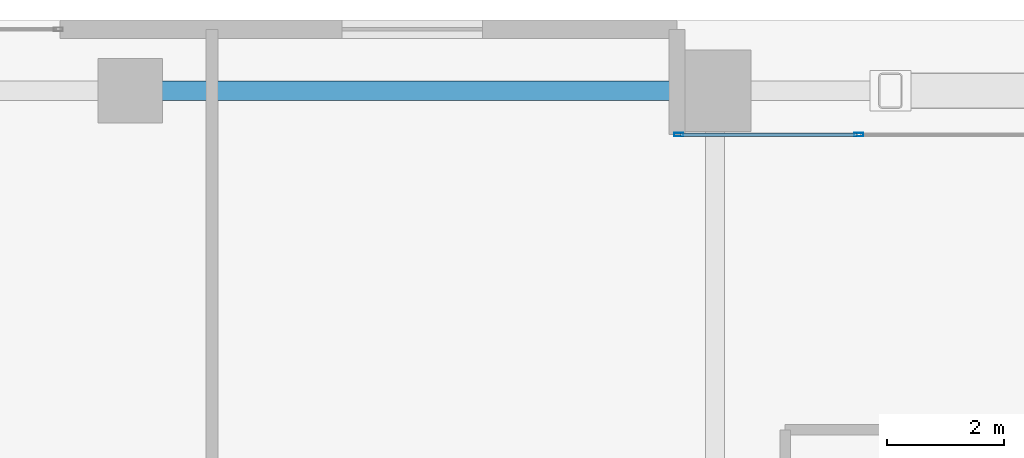
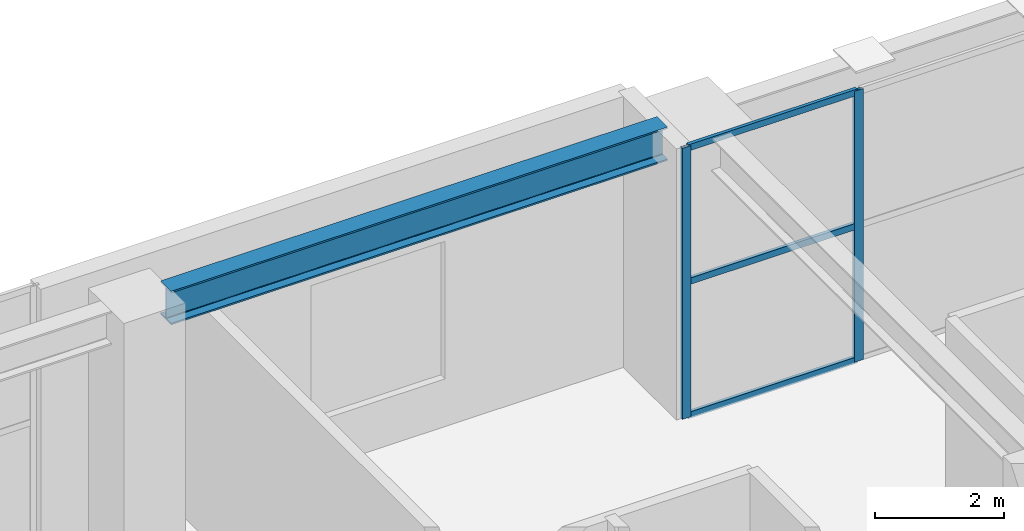
# One storey, part 13 of 28: 5 members, 1 beam, 1 element without a shape of its own.
"""IFC4 building model written with IfcOpenShell, lengths in metres."""

from ifc_helpers import new_model, si_unit, direction, frame, origin, origin_2d, place, context, subcontext, project, spatial, hollow_rectangle, i_section, extrude, material, layer, layer_set, material_profile, profile_set, type_object, element, aggregate, save


model = new_model("IFC4")

# Units and contexts
model_context = context("Model", 3, precision=1e-05, world=origin(), true_north=direction((0.0, 1.0)))
body_context = subcontext(model_context, "Body", "Model", "MODEL_VIEW")
ifc_project = project(units=[si_unit("LENGTHUNIT", "METRE"), si_unit("AREAUNIT", "SQUARE_METRE"), si_unit("VOLUMEUNIT", "CUBIC_METRE"), si_unit("PLANEANGLEUNIT", "RADIAN"), si_unit("MASSUNIT", "GRAM", prefix="KILO")], contexts=[model_context])

# Site, building, storey
site_placement = place(None, origin())
site = spatial("IfcSite", under=ifc_project, at=site_placement, CompositionType="ELEMENT")
building_placement = place(site_placement, origin())
building = spatial("IfcBuilding", under=site, at=building_placement, Name="Sarneth Arch Tower", CompositionType="ELEMENT")
storey_placement = place(building_placement, frame((0.0, 0.0, 6.0)))
storey = spatial("IfcBuildingStorey", under=building, at=storey_placement, Name="L01", CompositionType="ELEMENT", Elevation=6.0)

# Beam
ifc_material_1 = material(Name="Steel S355", Category="steel")
ifc_material_profile_1 = material_profile(ifc_material_1, i_section(OverallWidth=0.3291015625, OverallDepth=0.635009765625, WebThickness=0.017822265625, FlangeThickness=0.031005859375, FilletRadius=0.01904296875, at=origin_2d()), Name="W610x241")
ifc_profile_set_1 = profile_set([ifc_material_profile_1], Name="Steel S355")
beam_type = type_object("IfcBeamType", Name="BM-POD-610", PredefinedType="BEAM", material=ifc_profile_set_1)
beam_placement = place(storey_placement, frame((20.52001953125, 74.800048828125, 4.802490234375), z_axis=(1.0, 0.0, 0.0), x_axis=(0.0, 1.0, 0.0)))
element("IfcBeam", 1, at=beam_placement, inside=storey, type_object=beam_type, Name="L01 Podium PN girder 2", PredefinedType="BEAM", context=body_context, shape_type="SweptSolid", body=[
    extrude(i_section(OverallWidth=0.3291015625, OverallDepth=0.635009765625, WebThickness=0.017822265625, FlangeThickness=0.031005859375, FilletRadius=0.01904296875, at=origin_2d()), origin(), (0.0, 0.0, 1.0), 8.87548828125),
])

# Curtain wall, members
ifc_material_2 = material(Name="Anodised aluminium Type AA25 and solar-control low-e laminated IGU", Category="aluminium")
ifc_layer = layer(ifc_material_2, 0.199951171875)
ifc_layer_set = layer_set([ifc_layer], Name="Anodised aluminium Type AA25 and solar-control low-e laminated IGU")
curtain_wall_type = type_object("IfcCurtainWallType", Name="CW-ARCH-GLAZE", PredefinedType="NOTDEFINED", material=ifc_layer_set)
curtain_wall_placement = place(storey_placement, origin())
curtain_wall = element("IfcCurtainWall", 2, at=curtain_wall_placement, inside=storey, type_object=curtain_wall_type, Name="L01 North parabolic arch portal curtain wall", PredefinedType="NOTDEFINED")
ifc_material_3 = material(Name="Anodised Aluminium 6063-T6", Category="aluminium")
ifc_material_profile_2 = material_profile(ifc_material_3, hollow_rectangle(XDim=0.06005859375, YDim=0.159912109375, WallThickness=0.00390625, at=origin_2d()), Name="AL-MULL-160x60x4")
ifc_profile_set_2 = profile_set([ifc_material_profile_2], Name="Anodised Aluminium 6063-T6")
member_type_1 = type_object("IfcMemberType", Name="CW-MULLION", PredefinedType="MULLION", material=ifc_profile_set_2)
member_1_placement = place(storey_placement, frame((32.458251953125, 74.050048828125, 0.0), z_axis=(0.0, 0.0, 1.0), x_axis=(0.0, -1.0, 0.0)))
member_1 = element("IfcMember", 3, at=member_1_placement, type_object=member_type_1, Name="CW-SYS-2 mullion 12", PredefinedType="MULLION", context=body_context, shape_type="SweptSolid", body=[
    extrude(hollow_rectangle(XDim=0.06005859375, YDim=0.159912109375, WallThickness=0.00390625, at=origin_2d()), origin(), (0.0, 0.0, 1.0), 5.1201171875),
])
member_2_placement = place(storey_placement, frame((29.3798828125, 74.050048828125, 0.0), z_axis=(0.0, 0.0, 1.0), x_axis=(0.0, -1.0, 0.0)))
member_2 = element("IfcMember", 4, at=member_2_placement, type_object=member_type_1, Name="CW-SYS-2 mullion 13", PredefinedType="MULLION", context=body_context, shape_type="SweptSolid", body=[
    extrude(hollow_rectangle(XDim=0.06005859375, YDim=0.159912109375, WallThickness=0.00390625, at=origin_2d()), origin(), (0.0, 0.0, 1.0), 5.1201171875),
])
ifc_material_4 = material(Name="Anodised Aluminium 6063-T6", Category="aluminium")
ifc_material_profile_3 = material_profile(ifc_material_4, hollow_rectangle(XDim=0.06005859375, YDim=0.1201171875, WallThickness=0.00390625, at=origin_2d()), Name="AL-TRAN-120x60x4")
ifc_profile_set_3 = profile_set([ifc_material_profile_3], Name="Anodised Aluminium 6063-T6")
member_type_2 = type_object("IfcMemberType", Name="CW-TRANSOM", PredefinedType="USERDEFINED", material=ifc_profile_set_3)
member_3_placement = place(storey_placement, frame((32.42822265625, 74.050048828125, 0.030029296875), z_axis=(-1.0, 0.0, 0.0), x_axis=(0.0, -1.0, 0.0)))
member_3 = element("IfcMember", 5, at=member_3_placement, type_object=member_type_2, Name="CW-SYS-2 transom 12.1", ObjectType="TRANSOM", PredefinedType="USERDEFINED", context=body_context, shape_type="SweptSolid", body=[
    extrude(hollow_rectangle(XDim=0.06005859375, YDim=0.1201171875, WallThickness=0.00390625, at=origin_2d()), origin(), (0.0, 0.0, 1.0), 3.018310546875),
])
member_4_placement = place(storey_placement, frame((32.42822265625, 74.050048828125, 2.56005859375), z_axis=(-1.0, 0.0, 0.0), x_axis=(0.0, -1.0, 0.0)))
member_4 = element("IfcMember", 6, at=member_4_placement, type_object=member_type_2, Name="CW-SYS-2 transom 12.2", ObjectType="TRANSOM", PredefinedType="USERDEFINED", context=body_context, shape_type="SweptSolid", body=[
    extrude(hollow_rectangle(XDim=0.06005859375, YDim=0.1201171875, WallThickness=0.00390625, at=origin_2d()), origin(), (0.0, 0.0, 1.0), 3.018310546875),
])
member_5_placement = place(storey_placement, frame((32.42822265625, 74.050048828125, 5.090087890625), z_axis=(-1.0, 0.0, 0.0), x_axis=(0.0, -1.0, 0.0)))
member_5 = element("IfcMember", 7, at=member_5_placement, type_object=member_type_2, Name="CW-SYS-2 transom 12.3", ObjectType="TRANSOM", PredefinedType="USERDEFINED", context=body_context, shape_type="SweptSolid", body=[
    extrude(hollow_rectangle(XDim=0.06005859375, YDim=0.1201171875, WallThickness=0.00390625, at=origin_2d()), origin(), (0.0, 0.0, 1.0), 3.018310546875),
])
aggregate(curtain_wall, [member_1, member_2, member_3, member_4, member_5])

save(model, "model.ifc")
